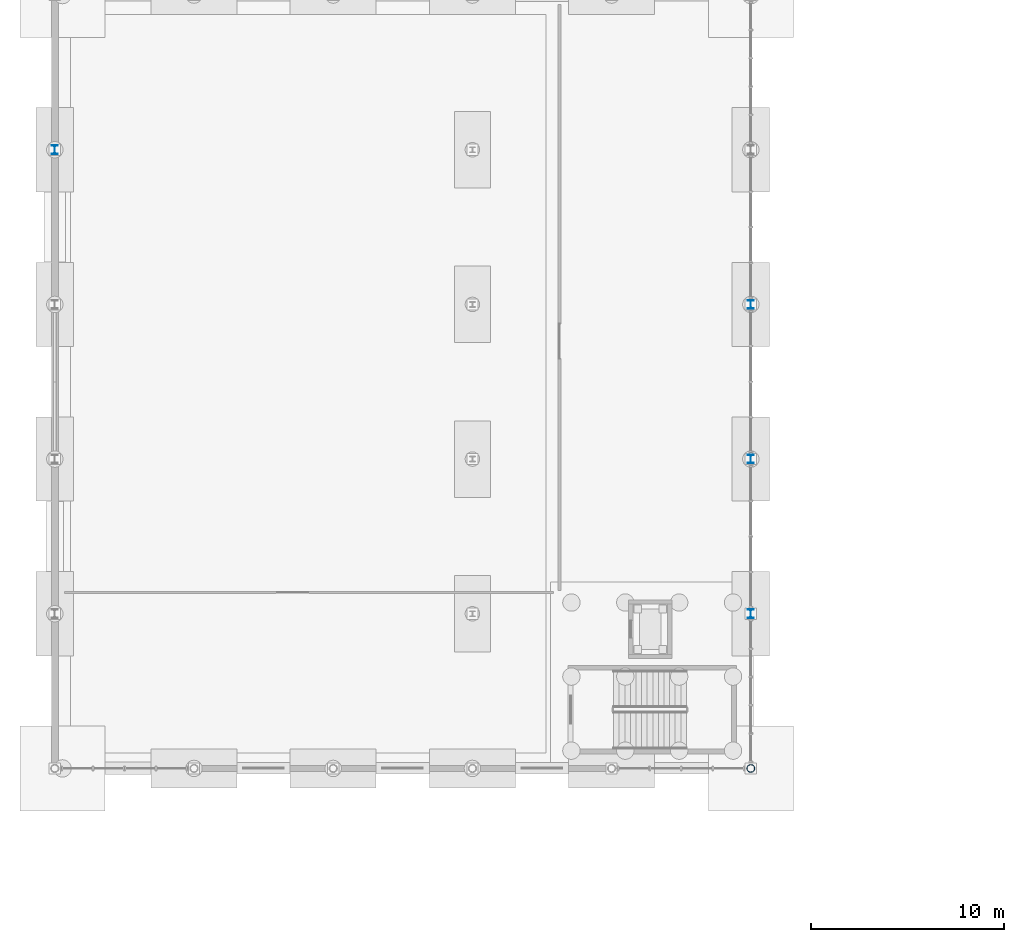
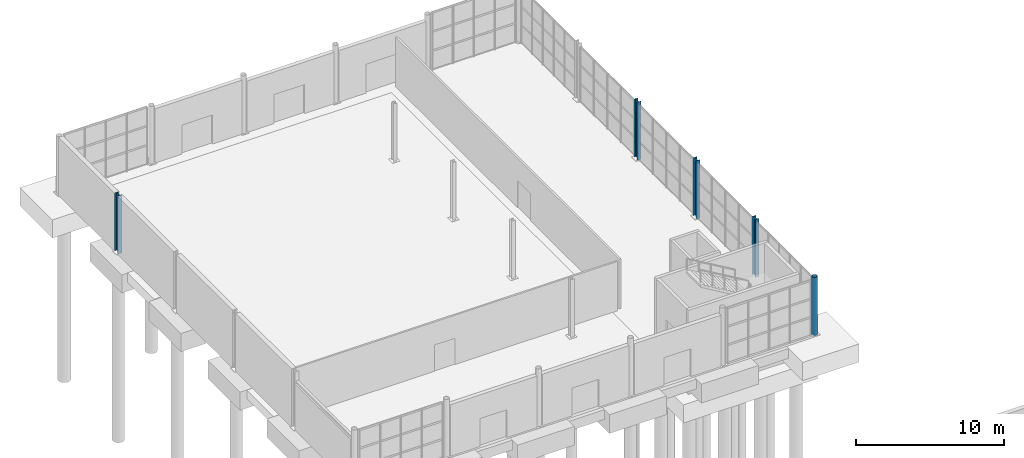
# One storey, part 18 of 101: 5 columns.
"""IFC4 building model written with IfcOpenShell, lengths in metres."""

from ifc_helpers import new_model, si_unit, derived_unit, direction, frame, origin, origin_2d, place, context, subcontext, project, spatial, hollow_circle, i_section, extrude, material, material_profile, profile_set, type_object, element, save


model = new_model("IFC4")

# Units and contexts
model_context = context("Model", 3, precision=1e-05, world=origin(), true_north=direction((0.0, 1.0)))
body_context = subcontext(model_context, "Body", "Model", "MODEL_VIEW")
ifc_project = project(units=[si_unit("LENGTHUNIT", "METRE"), si_unit("AREAUNIT", "SQUARE_METRE"), si_unit("VOLUMEUNIT", "CUBIC_METRE"), si_unit("PLANEANGLEUNIT", "RADIAN"), si_unit("MASSUNIT", "GRAM", prefix="KILO"), derived_unit("THERMALTRANSMITTANCEUNIT", [(si_unit("POWERUNIT", "WATT"), 1), (si_unit("LENGTHUNIT", "METRE"), -2), (si_unit("THERMODYNAMICTEMPERATUREUNIT", "KELVIN"), -1)])], contexts=[model_context])

# Site, building, storey
site_placement = place(None, origin())
site = spatial("IfcSite", under=ifc_project, at=site_placement, CompositionType="ELEMENT")
building_placement = place(site_placement, origin())
building = spatial("IfcBuilding", under=site, at=building_placement, Name="Keldorne Ridge Multi-Sports Centre", CompositionType="ELEMENT")
storey_placement = place(building_placement, origin())
storey = spatial("IfcBuildingStorey", under=building, at=storey_placement, Name="L00", CompositionType="ELEMENT", Elevation=0.0)

# Columns
ifc_material = material(Name="Steel S355", Category="steel")
ifc_material_profile_1 = material_profile(ifc_material, i_section(OverallWidth=0.300048828125, OverallDepth=0.449951171875, WebThickness=0.013916015625, FlangeThickness=0.02587890625, FilletRadius=0.027099609375, at=origin_2d()), Name="HEB 450")
ifc_profile_set_1 = profile_set([ifc_material_profile_1], Name="Steel S355")
column_type_1 = type_object("IfcColumnType", Name="COL-C-06", PredefinedType="COLUMN", material=ifc_profile_set_1)
for number, where, z_axis, x_axis, name in (
    (1, (42.0, 82.0, 0.0), (0.0, 0.0, 1.0), (1.0, 0.0, 0.0), "Structural column V3-SIDE-E-02 on L00"),
    (2, (42.0, 90.0, 0.0), (0.0, 0.0, 1.0), (1.0, 0.0, 0.0), "Structural column V3-SIDE-E-03 on L00"),
    (3, (42.0, 98.0, 0.0), (0.0, 0.0, 1.0), (1.0, 0.0, 0.0), "Structural column V3-SIDE-E-04 on L00"),
    (4, (6.0, 106.0, 0.0), (0.0, 0.0, 1.0), (1.0, 0.0, 0.0), "Structural column V3-SIDE-W-05 on L00"),
):
    element("IfcColumn", number, at=place(storey_placement, frame(where, z_axis=z_axis, x_axis=x_axis)), inside=storey, type_object=column_type_1, Name=name, PredefinedType="COLUMN", context=body_context, shape_type="SweptSolid", body=[
        extrude(i_section(OverallWidth=0.300048828125, OverallDepth=0.449951171875, WebThickness=0.013916015625, FlangeThickness=0.02587890625, FilletRadius=0.027099609375, at=origin_2d()), origin(), (0.0, 0.0, 1.0), 4.800048828125),
    ])
ifc_material_profile_2 = material_profile(ifc_material, hollow_circle(Radius=0.203125, WallThickness=0.01611328125, at=origin_2d()), Name="CHS 406.4x16")
ifc_profile_set_2 = profile_set([ifc_material_profile_2], Name="Steel S355")
column_type_2 = type_object("IfcColumnType", Name="COL-C-07", PredefinedType="COLUMN", material=ifc_profile_set_2)
column_placement = place(storey_placement, frame((42.0, 74.0, 0.0), z_axis=(0.0, 0.0, 1.0), x_axis=(1.0, 0.0, 0.0)))
element("IfcColumn", 5, at=column_placement, inside=storey, type_object=column_type_2, Name="Structural column V3-PER-S-06 on L00", PredefinedType="COLUMN", context=body_context, shape_type="SweptSolid", body=[
    extrude(hollow_circle(Radius=0.203125, WallThickness=0.01611328125, at=origin_2d()), origin(), (0.0, 0.0, 1.0), 4.800048828125),
])

save(model, "model.ifc")
